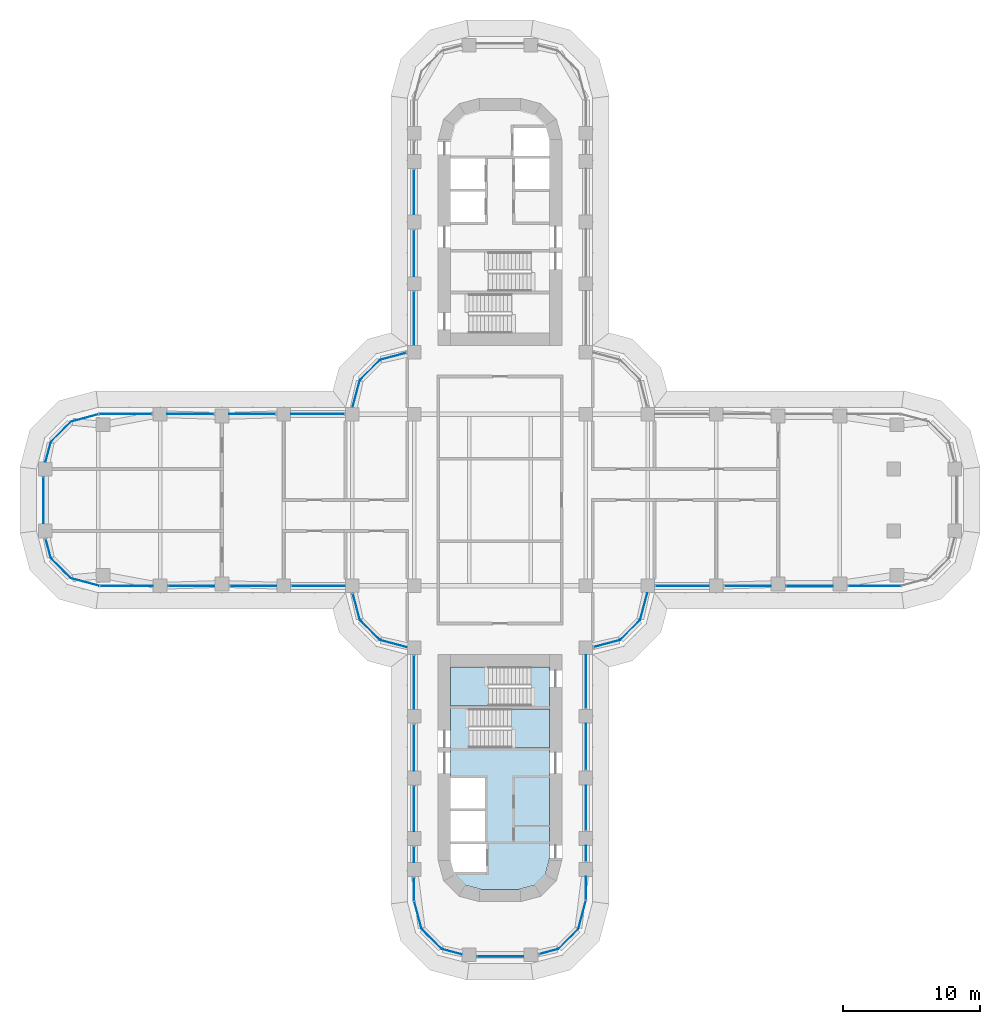
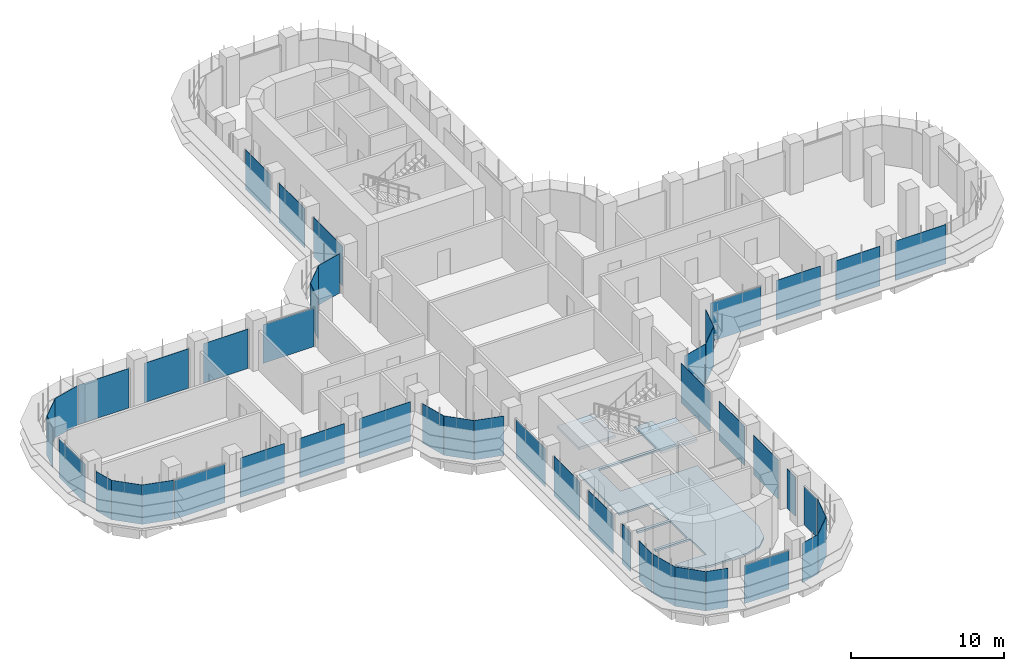
# One storey, part 13 of 23: 48 plates, 3 slabs, 31 elements without a shape of their own.
"""IFC4 building model written with IfcOpenShell, lengths in metres."""

from ifc_helpers import new_model, si_unit, direction, frame, origin, place, context, subcontext, project, spatial, polyline, outline, extrude, source, transform, mapped, material, layer, layer_set, type_object, element, aggregate, save


model = new_model("IFC4")

# Units and contexts
model_context = context("Model", 3, precision=1e-05, world=origin(), true_north=direction((0.0, 1.0)))
body_context = subcontext(model_context, "Body", "Model", "MODEL_VIEW")
ifc_project = project(units=[si_unit("LENGTHUNIT", "METRE"), si_unit("AREAUNIT", "SQUARE_METRE"), si_unit("VOLUMEUNIT", "CUBIC_METRE"), si_unit("PLANEANGLEUNIT", "RADIAN"), si_unit("MASSUNIT", "GRAM", prefix="KILO")], contexts=[model_context])

# Site, building, storey
site_placement = place(None, origin())
site = spatial("IfcSite", under=ifc_project, at=site_placement, CompositionType="ELEMENT")
building_placement = place(site_placement, origin())
building = spatial("IfcBuilding", under=site, at=building_placement, Name="Zarbagh Exchange Tower", CompositionType="ELEMENT")
storey_placement = place(building_placement, frame((0.0, 0.0, 35.39990234375)))
storey = spatial("IfcBuildingStorey", under=building, at=storey_placement, Name="L07", CompositionType="ELEMENT", Elevation=35.39990234375)

# Slab
ifc_material_1 = material(Name="Concrete C40/50", Category="concrete")
ifc_layer_1 = layer(ifc_material_1, 0.14990234375)
ifc_layer_set_1 = layer_set([ifc_layer_1], Name="Core floor slab 150 C40/50")
slab_type_1 = type_object("IfcSlabType", Name="Core floor slab 150 C40/50", PredefinedType="FLOOR", material=ifc_layer_set_1)
slab_1_placement = place(storey_placement, frame((0.0, 0.0, -0.14990234375)))
element("IfcSlab", 1, at=slab_1_placement, inside=storey, type_object=slab_type_1, Name="S17 core S", PredefinedType="FLOOR", context=body_context, shape_type="SweptSolid", body=[
    extrude(outline(polyline([(-2.5341796875, -28.041259765625), (-3.291259765625, -27.2841796875), (-3.340576171875, -27.10009765625), (-1.0, -27.10009765625), (-1.0, -25.050048828125), (-3.60009765625, -25.050048828125), (-3.60009765625, -24.85009765625), (-1.10009765625, -24.85009765625), (-1.10009765625, -22.64990234375), (-3.60009765625, -22.64990234375), (-3.60009765625, -22.449951171875), (-1.10009765625, -22.449951171875), (-1.10009765625, -20.25), (-3.60009765625, -20.25), (-3.60009765625, -15.0), (2.25, -15.0), (2.25, -12.14990234375), (3.60009765625, -12.14990234375), (3.60009765625, -15.199951171875), (-2.25, -15.199951171875), (-2.25, -18.050048828125), (3.60009765625, -18.050048828125), (3.60009765625, -26.131591796875), (3.291259765625, -27.2841796875), (2.5341796875, -28.041259765625), (1.381591796875, -28.35009765625), (-1.381591796875, -28.35009765625), (-2.5341796875, -28.041259765625)])), origin(), (0.0, 0.0, 1.0), 0.14990234375),
])

# Stair, slab
stair_type = type_object("IfcStairType", Name="Exit stair two-flight half-turn", PredefinedType="HALF_TURN_STAIR", material=ifc_material_1)
stair_1_placement = place(storey_placement, origin())
stair_1 = element("IfcStair", 2, at=stair_1_placement, inside=storey, type_object=stair_type, Name="exit stair ST3", PredefinedType="HALF_TURN_STAIR")
ifc_layer_2 = layer(ifc_material_1, 0.199951171875)
ifc_layer_set_2 = layer_set([ifc_layer_2], Name="Stair landing 200 mm")
slab_type_2 = type_object("IfcSlabType", Name="Stair landing 200 mm", PredefinedType="LANDING", material=ifc_layer_set_2)
slab_2_placement = place(storey_placement, frame((0.0, 0.0, 1.900146484375)))
slab_2 = element("IfcSlab", 3, at=slab_2_placement, type_object=slab_type_2, Name="ST3 landing 1", PredefinedType="LANDING", context=body_context, shape_type="SweptSolid", body=[
    extrude(outline(polyline([(0.830078125, -18.050048828125), (3.60009765625, -18.050048828125), (3.60009765625, -15.199951171875), (0.830078125, -15.199951171875), (0.830078125, -18.050048828125)])), origin(), (0.0, 0.0, 1.0), 0.199951171875),
])
aggregate(stair_1, [slab_2])

stair_2_placement = place(storey_placement, origin())
stair_2 = element("IfcStair", 4, at=stair_2_placement, inside=storey, type_object=stair_type, Name="exit stair ST4", PredefinedType="HALF_TURN_STAIR")
slab_3_placement = place(storey_placement, frame((0.0, 0.0, 1.900146484375)))
slab_3 = element("IfcSlab", 5, at=slab_3_placement, type_object=slab_type_2, Name="ST4 landing 1", PredefinedType="LANDING", context=body_context, shape_type="SweptSolid", body=[
    extrude(outline(polyline([(-0.830078125, -12.14990234375), (-3.60009765625, -12.14990234375), (-3.60009765625, -15.0), (-0.830078125, -15.0), (-0.830078125, -12.14990234375)])), origin(), (0.0, 0.0, 1.0), 0.199951171875),
])
aggregate(stair_2, [slab_3])

# Curtain wall, plate
ifc_material_2 = material(Name="Anodised aluminium frame and glazing", Category="aluminium")
curtain_wall_type = type_object("IfcCurtainWallType", Name="CWA Ribbon glazing, lower zones", PredefinedType="NOTDEFINED", material=ifc_material_2)
curtain_wall_1_placement = place(storey_placement, origin())
curtain_wall_1 = element("IfcCurtainWall", 6, at=curtain_wall_1_placement, inside=storey, type_object=curtain_wall_type, Name="CWA01 curtain wall", PredefinedType="NOTDEFINED")
ifc_material_3 = material(Name="Low-e double glazed unit, 6+12+6 mm")
ifc_layer_3 = layer(ifc_material_3, 0.028076171875)
ifc_layer_set_3 = layer_set([ifc_layer_3], Name="PAA Glazing panel, Low-e double glazed unit, 6+12+6 mm")
plate_type = type_object("IfcPlateType", Name="PAA Glazing panel, Low-e double glazed unit, 6+12+6 mm", PredefinedType="CURTAIN_PANEL", material=ifc_layer_set_3)
shared_shape_1 = source(origin(), body_context, "Body", "SweptSolid", [
    extrude(outline(polyline([(0.0, -0.013916015625), (1.4423828125, -0.013916015625), (1.4423828125, 0.013916015625), (0.0, 0.013916015625), (0.0, -0.013916015625)])), origin(), (0.0, 0.0, 1.0), 3.14990234375),
])
placement = place(storey_placement, origin())
plate_1 = element("IfcPlate", 7, at=placement, type_object=plate_type, Name="CWA01 glazing panel 1.1", PredefinedType="CURTAIN_PANEL", context=body_context, shape_type="MappedRepresentation", body=[
    mapped(shared_shape_1, transform((2.847900390625, -33.072021484375, 0.0), x_axis=(0.965924289636, 0.258824779902, 0.0), y_axis=(-0.258824779902, 0.965924289636, 0.0), z_axis=(0.0, 0.0, 1.0))),
])
aggregate(curtain_wall_1, [plate_1])

curtain_wall_2_placement = place(storey_placement, origin())
curtain_wall_2 = element("IfcCurtainWall", 8, at=curtain_wall_2_placement, inside=storey, type_object=curtain_wall_type, Name="CWA37 curtain wall", PredefinedType="NOTDEFINED")
plate_2 = element("IfcPlate", 9, at=placement, type_object=plate_type, Name="CWA37 glazing panel 1.1", PredefinedType="CURTAIN_PANEL", context=body_context, shape_type="MappedRepresentation", body=[
    mapped(shared_shape_1, transform((-33.072021484375, -2.847900390625, 0.0), x_axis=(0.258824779902, -0.965924289636, 0.0), y_axis=(0.965924289636, 0.258824779902, 0.0), z_axis=(0.0, 0.0, 1.0))),
])
aggregate(curtain_wall_2, [plate_2])

curtain_wall_3_placement = place(storey_placement, origin())
curtain_wall_3 = element("IfcCurtainWall", 10, at=curtain_wall_3_placement, inside=storey, type_object=curtain_wall_type, Name="CWA02 curtain wall", PredefinedType="NOTDEFINED")
shared_shape_2 = source(origin(), body_context, "Body", "SweptSolid", [
    extrude(outline(polyline([(0.0, -0.013916015625), (2.061279296875, -0.013916015625), (2.061279296875, 0.013916015625), (0.0, 0.013916015625), (0.0, -0.013916015625)])), origin(), (0.0, 0.0, 1.0), 3.14990234375),
])
plate_3 = element("IfcPlate", 11, at=placement, type_object=plate_type, Name="CWA02 glazing panel 1.1", PredefinedType="CURTAIN_PANEL", context=body_context, shape_type="MappedRepresentation", body=[
    mapped(shared_shape_2, transform((4.2412109375, -32.69873046875, 0.0), x_axis=(0.707106781187, 0.707106781187, 0.0), y_axis=(-0.707106781187, 0.707106781187, 0.0), z_axis=(0.0, 0.0, 1.0))),
])
aggregate(curtain_wall_3, [plate_3])

curtain_wall_4_placement = place(storey_placement, origin())
curtain_wall_4 = element("IfcCurtainWall", 12, at=curtain_wall_4_placement, inside=storey, type_object=curtain_wall_type, Name="CWA06 curtain wall", PredefinedType="NOTDEFINED")
plate_4 = element("IfcPlate", 13, at=placement, type_object=plate_type, Name="CWA06 glazing panel 1.1", PredefinedType="CURTAIN_PANEL", context=body_context, shape_type="MappedRepresentation", body=[
    mapped(shared_shape_2, transform((8.7412109375, -10.19873046875, 0.0), x_axis=(0.707106781187, 0.707106781187, 0.0), y_axis=(-0.707106781187, 0.707106781187, 0.0), z_axis=(0.0, 0.0, 1.0))),
])
aggregate(curtain_wall_4, [plate_4])

curtain_wall_5_placement = place(storey_placement, origin())
curtain_wall_5 = element("IfcCurtainWall", 14, at=curtain_wall_5_placement, inside=storey, type_object=curtain_wall_type, Name="CWA30 curtain wall", PredefinedType="NOTDEFINED")
plate_5 = element("IfcPlate", 15, at=placement, type_object=plate_type, Name="CWA30 glazing panel 1.1", PredefinedType="CURTAIN_PANEL", context=body_context, shape_type="MappedRepresentation", body=[
    mapped(shared_shape_2, transform((-8.7412109375, 10.19873046875, 0.0), x_axis=(-0.707106781187, -0.707106781187, 0.0), y_axis=(0.707106781187, -0.707106781187, 0.0), z_axis=(0.0, 0.0, 1.0))),
])
aggregate(curtain_wall_5, [plate_5])

curtain_wall_6_placement = place(storey_placement, origin())
curtain_wall_6 = element("IfcCurtainWall", 16, at=curtain_wall_6_placement, inside=storey, type_object=curtain_wall_type, Name="CWA34 curtain wall", PredefinedType="NOTDEFINED")
plate_6 = element("IfcPlate", 17, at=placement, type_object=plate_type, Name="CWA34 glazing panel 1.1", PredefinedType="CURTAIN_PANEL", context=body_context, shape_type="MappedRepresentation", body=[
    mapped(shared_shape_2, transform((-31.2412109375, 5.69873046875, 0.0), x_axis=(-0.707106781187, -0.707106781187, 0.0), y_axis=(0.707106781187, -0.707106781187, 0.0), z_axis=(0.0, 0.0, 1.0))),
])
aggregate(curtain_wall_6, [plate_6])

curtain_wall_7_placement = place(storey_placement, origin())
curtain_wall_7 = element("IfcCurtainWall", 18, at=curtain_wall_7_placement, inside=storey, type_object=curtain_wall_type, Name="CWA38 curtain wall", PredefinedType="NOTDEFINED")
plate_7 = element("IfcPlate", 19, at=placement, type_object=plate_type, Name="CWA38 glazing panel 1.1", PredefinedType="CURTAIN_PANEL", context=body_context, shape_type="MappedRepresentation", body=[
    mapped(shared_shape_2, transform((-32.69873046875, -4.2412109375, 0.0), x_axis=(0.707106781187, -0.707106781187, 0.0), y_axis=(0.707106781187, 0.707106781187, 0.0), z_axis=(0.0, 0.0, 1.0))),
])
aggregate(curtain_wall_7, [plate_7])

curtain_wall_8_placement = place(storey_placement, origin())
curtain_wall_8 = element("IfcCurtainWall", 20, at=curtain_wall_8_placement, inside=storey, type_object=curtain_wall_type, Name="CWA42 curtain wall", PredefinedType="NOTDEFINED")
plate_8 = element("IfcPlate", 21, at=placement, type_object=plate_type, Name="CWA42 glazing panel 1.1", PredefinedType="CURTAIN_PANEL", context=body_context, shape_type="MappedRepresentation", body=[
    mapped(shared_shape_2, transform((-10.19873046875, -8.7412109375, 0.0), x_axis=(0.707106781187, -0.707106781187, 0.0), y_axis=(0.707106781187, 0.707106781187, 0.0), z_axis=(0.0, 0.0, 1.0))),
])
aggregate(curtain_wall_8, [plate_8])

curtain_wall_9_placement = place(storey_placement, origin())
curtain_wall_9 = element("IfcCurtainWall", 22, at=curtain_wall_9_placement, inside=storey, type_object=curtain_wall_type, Name="CWA46 curtain wall", PredefinedType="NOTDEFINED")
plate_9 = element("IfcPlate", 23, at=placement, type_object=plate_type, Name="CWA46 glazing panel 1.1", PredefinedType="CURTAIN_PANEL", context=body_context, shape_type="MappedRepresentation", body=[
    mapped(shared_shape_2, transform((-5.69873046875, -31.2412109375, 0.0), x_axis=(0.707106781187, -0.707106781187, 0.0), y_axis=(0.707106781187, 0.707106781187, 0.0), z_axis=(0.0, 0.0, 1.0))),
])
aggregate(curtain_wall_9, [plate_9])

curtain_wall_10_placement = place(storey_placement, origin())
curtain_wall_10 = element("IfcCurtainWall", 24, at=curtain_wall_10_placement, inside=storey, type_object=curtain_wall_type, Name="CWA03 curtain wall", PredefinedType="NOTDEFINED")
shared_shape_3 = source(origin(), body_context, "Body", "SweptSolid", [
    extrude(outline(polyline([(0.0, -0.013916015625), (2.129638671875, -0.013916015625), (2.129638671875, 0.013916015625), (0.0, 0.013916015625), (0.0, -0.013916015625)])), origin(), (0.0, 0.0, 1.0), 3.14990234375),
])
plate_10 = element("IfcPlate", 25, at=placement, type_object=plate_type, Name="CWA03 glazing panel 1.1", PredefinedType="CURTAIN_PANEL", context=body_context, shape_type="MappedRepresentation", body=[
    mapped(shared_shape_3, transform((5.69873046875, -31.2412109375, 0.0), x_axis=(0.258824779902, 0.965924289636, 0.0), y_axis=(-0.965924289636, 0.258824779902, 0.0), z_axis=(0.0, 0.0, 1.0))),
])
aggregate(curtain_wall_10, [plate_10])

curtain_wall_11_placement = place(storey_placement, origin())
curtain_wall_11 = element("IfcCurtainWall", 26, at=curtain_wall_11_placement, inside=storey, type_object=curtain_wall_type, Name="CWA39 curtain wall", PredefinedType="NOTDEFINED")
plate_11 = element("IfcPlate", 27, at=placement, type_object=plate_type, Name="CWA39 glazing panel 1.1", PredefinedType="CURTAIN_PANEL", context=body_context, shape_type="MappedRepresentation", body=[
    mapped(shared_shape_3, transform((-31.2412109375, -5.69873046875, 0.0), x_axis=(0.965924289636, -0.258824779902, 0.0), y_axis=(0.258824779902, 0.965924289636, 0.0), z_axis=(0.0, 0.0, 1.0))),
])
aggregate(curtain_wall_11, [plate_11])

# Curtain wall, plates
curtain_wall_12_placement = place(storey_placement, origin())
curtain_wall_12 = element("IfcCurtainWall", 28, at=curtain_wall_12_placement, inside=storey, type_object=curtain_wall_type, Name="CWA04 curtain wall", PredefinedType="NOTDEFINED")
shared_shape_4 = source(origin(), body_context, "Body", "SweptSolid", [
    extrude(outline(polyline([(0.0, -0.013916015625), (1.68408203125, -0.013916015625), (1.68408203125, 0.013916015625), (0.0, 0.013916015625), (0.0, -0.013916015625)])), origin(), (0.0, 0.0, 1.0), 3.090087890625),
])
plate_12 = element("IfcPlate", 29, at=placement, type_object=plate_type, Name="CWA04 glazing panel 1.1", PredefinedType="CURTAIN_PANEL", context=body_context, shape_type="MappedRepresentation", body=[
    mapped(shared_shape_4, transform((6.25, -29.124267578125, 0.0), x_axis=(0.0, 1.0, 0.0), y_axis=(-1.0, 0.0, 0.0), z_axis=(0.0, 0.0, 1.0))),
])
shared_shape_5 = source(origin(), body_context, "Body", "SweptSolid", [
    extrude(outline(polyline([(0.0, -0.013916015625), (1.110107421875, -0.013916015625), (1.110107421875, 0.013916015625), (0.0, 0.013916015625), (0.0, -0.013916015625)])), origin(), (0.0, 0.0, 1.0), 3.14990234375),
])
plate_13 = element("IfcPlate", 30, at=placement, type_object=plate_type, Name="CWA04 glazing panel 2.1", PredefinedType="CURTAIN_PANEL", context=body_context, shape_type="MappedRepresentation", body=[
    mapped(shared_shape_5, transform((6.25, -26.300048828125, 0.0), x_axis=(0.0, 1.0, 0.0), y_axis=(-1.0, 0.0, 0.0), z_axis=(0.0, 0.0, 1.0))),
])

# Curtain wall, plate
curtain_wall_13_placement = place(storey_placement, origin())
curtain_wall_13 = element("IfcCurtainWall", 31, at=curtain_wall_13_placement, inside=storey, type_object=curtain_wall_type, Name="CWA44 curtain wall", PredefinedType="NOTDEFINED")
plate_14 = element("IfcPlate", 32, at=placement, type_object=plate_type, Name="CWA44 glazing panel 4.1", PredefinedType="CURTAIN_PANEL", context=body_context, shape_type="MappedRepresentation", body=[
    mapped(shared_shape_5, transform((-6.25, -25.25, 0.0), x_axis=(0.0, -1.0, 0.0), y_axis=(1.0, 0.0, 0.0), z_axis=(0.0, 0.0, 1.0))),
])

# Plate
shared_shape_6 = source(origin(), body_context, "Body", "SweptSolid", [
    extrude(outline(polyline([(0.0, -0.013916015625), (3.260009765625, -0.013916015625), (3.260009765625, 0.013916015625), (0.0, 0.013916015625), (0.0, -0.013916015625)])), origin(), (0.0, 0.0, 1.0), 3.14990234375),
])
plate_15 = element("IfcPlate", 33, at=placement, type_object=plate_type, Name="CWA04 glazing panel 3.1", PredefinedType="CURTAIN_PANEL", context=body_context, shape_type="MappedRepresentation", body=[
    mapped(shared_shape_6, transform((6.25, -24.050048828125, 0.0), x_axis=(0.0, 1.0, 0.0), y_axis=(-1.0, 0.0, 0.0), z_axis=(0.0, 0.0, 1.0))),
])

# Curtain wall, plate
curtain_wall_14_placement = place(storey_placement, origin())
curtain_wall_14 = element("IfcCurtainWall", 34, at=curtain_wall_14_placement, inside=storey, type_object=curtain_wall_type, Name="CWA28 curtain wall", PredefinedType="NOTDEFINED")
plate_16 = element("IfcPlate", 35, at=placement, type_object=plate_type, Name="CWA28 glazing panel 3.1", PredefinedType="CURTAIN_PANEL", context=body_context, shape_type="MappedRepresentation", body=[
    mapped(shared_shape_6, transform((-6.25, 24.050048828125, 0.0), x_axis=(0.0, -1.0, 0.0), y_axis=(1.0, 0.0, 0.0), z_axis=(0.0, 0.0, 1.0))),
])

# Plate
plate_17 = element("IfcPlate", 36, at=placement, type_object=plate_type, Name="CWA44 glazing panel 3.1", PredefinedType="CURTAIN_PANEL", context=body_context, shape_type="MappedRepresentation", body=[
    mapped(shared_shape_6, transform((-6.25, -20.85009765625, 0.0), x_axis=(0.0, -1.0, 0.0), y_axis=(1.0, 0.0, 0.0), z_axis=(0.0, 0.0, 1.0))),
])

shared_shape_7 = source(origin(), body_context, "Body", "SweptSolid", [
    extrude(outline(polyline([(0.0, -0.013916015625), (3.360107421875, -0.013916015625), (3.360107421875, 0.013916015625), (0.0, 0.013916015625), (0.0, -0.013916015625)])), origin(), (0.0, 0.0, 1.0), 3.14990234375),
])
plate_18 = element("IfcPlate", 37, at=placement, type_object=plate_type, Name="CWA04 glazing panel 4.1", PredefinedType="CURTAIN_PANEL", context=body_context, shape_type="MappedRepresentation", body=[
    mapped(shared_shape_7, transform((6.25, -19.64990234375, 0.0), x_axis=(0.0, 1.0, 0.0), y_axis=(-1.0, 0.0, 0.0), z_axis=(0.0, 0.0, 1.0))),
])

# Curtain wall, plates
curtain_wall_15_placement = place(storey_placement, origin())
curtain_wall_15 = element("IfcCurtainWall", 38, at=curtain_wall_15_placement, inside=storey, type_object=curtain_wall_type, Name="CWA08 curtain wall", PredefinedType="NOTDEFINED")
plate_19 = element("IfcPlate", 39, at=placement, type_object=plate_type, Name="CWA08 glazing panel 2.1", PredefinedType="CURTAIN_PANEL", context=body_context, shape_type="MappedRepresentation", body=[
    mapped(shared_shape_7, transform((16.35009765625, -6.25, 0.0), x_axis=(1.0, 0.0, 0.0), y_axis=(0.0, 1.0, 0.0), z_axis=(0.0, 0.0, 1.0))),
])
plate_20 = element("IfcPlate", 40, at=placement, type_object=plate_type, Name="CWA08 glazing panel 3.1", PredefinedType="CURTAIN_PANEL", context=body_context, shape_type="MappedRepresentation", body=[
    mapped(shared_shape_7, transform((20.85009765625, -6.25, 0.0), x_axis=(1.0, 0.0, 0.0), y_axis=(0.0, 1.0, 0.0), z_axis=(0.0, 0.0, 1.0))),
])

# Plate
plate_21 = element("IfcPlate", 41, at=placement, type_object=plate_type, Name="CWA28 glazing panel 4.1", PredefinedType="CURTAIN_PANEL", context=body_context, shape_type="MappedRepresentation", body=[
    mapped(shared_shape_7, transform((-6.25, 19.64990234375, 0.0), x_axis=(0.0, -1.0, 0.0), y_axis=(1.0, 0.0, 0.0), z_axis=(0.0, 0.0, 1.0))),
])

# Curtain wall, plates
curtain_wall_16_placement = place(storey_placement, origin())
curtain_wall_16 = element("IfcCurtainWall", 42, at=curtain_wall_16_placement, inside=storey, type_object=curtain_wall_type, Name="CWA32 curtain wall", PredefinedType="NOTDEFINED")
plate_22 = element("IfcPlate", 43, at=placement, type_object=plate_type, Name="CWA32 glazing panel 2.1", PredefinedType="CURTAIN_PANEL", context=body_context, shape_type="MappedRepresentation", body=[
    mapped(shared_shape_7, transform((-16.35009765625, 6.25, 0.0), x_axis=(-1.0, 0.0, 0.0), y_axis=(0.0, -1.0, 0.0), z_axis=(0.0, 0.0, 1.0))),
])
plate_23 = element("IfcPlate", 44, at=placement, type_object=plate_type, Name="CWA32 glazing panel 3.1", PredefinedType="CURTAIN_PANEL", context=body_context, shape_type="MappedRepresentation", body=[
    mapped(shared_shape_7, transform((-20.85009765625, 6.25, 0.0), x_axis=(-1.0, 0.0, 0.0), y_axis=(0.0, -1.0, 0.0), z_axis=(0.0, 0.0, 1.0))),
])

curtain_wall_17_placement = place(storey_placement, origin())
curtain_wall_17 = element("IfcCurtainWall", 45, at=curtain_wall_17_placement, inside=storey, type_object=curtain_wall_type, Name="CWA40 curtain wall", PredefinedType="NOTDEFINED")
plate_24 = element("IfcPlate", 46, at=placement, type_object=plate_type, Name="CWA40 glazing panel 2.1", PredefinedType="CURTAIN_PANEL", context=body_context, shape_type="MappedRepresentation", body=[
    mapped(shared_shape_7, transform((-24.14990234375, -6.25, 0.0), x_axis=(1.0, 0.0, 0.0), y_axis=(0.0, 1.0, 0.0), z_axis=(0.0, 0.0, 1.0))),
])
plate_25 = element("IfcPlate", 47, at=placement, type_object=plate_type, Name="CWA40 glazing panel 3.1", PredefinedType="CURTAIN_PANEL", context=body_context, shape_type="MappedRepresentation", body=[
    mapped(shared_shape_7, transform((-19.64990234375, -6.25, 0.0), x_axis=(1.0, 0.0, 0.0), y_axis=(0.0, 1.0, 0.0), z_axis=(0.0, 0.0, 1.0))),
])

# Plate
plate_26 = element("IfcPlate", 48, at=placement, type_object=plate_type, Name="CWA44 glazing panel 2.1", PredefinedType="CURTAIN_PANEL", context=body_context, shape_type="MappedRepresentation", body=[
    mapped(shared_shape_7, transform((-6.25, -16.35009765625, 0.0), x_axis=(0.0, -1.0, 0.0), y_axis=(1.0, 0.0, 0.0), z_axis=(0.0, 0.0, 1.0))),
])

# Curtain wall, plate
curtain_wall_18_placement = place(storey_placement, origin())
curtain_wall_18 = element("IfcCurtainWall", 49, at=curtain_wall_18_placement, inside=storey, type_object=curtain_wall_type, Name="CWA05 curtain wall", PredefinedType="NOTDEFINED")
shared_shape_8 = source(origin(), body_context, "Body", "SweptSolid", [
    extrude(outline(polyline([(0.0, -0.013916015625), (1.9599609375, -0.013916015625), (1.9599609375, 0.013916015625), (0.0, 0.013916015625), (0.0, -0.013916015625)])), origin(), (0.0, 0.0, 1.0), 3.14990234375),
])
plate_27 = element("IfcPlate", 50, at=placement, type_object=plate_type, Name="CWA05 glazing panel 1.1", PredefinedType="CURTAIN_PANEL", context=body_context, shape_type="MappedRepresentation", body=[
    mapped(shared_shape_8, transform((6.847900390625, -10.7060546875, 0.0), x_axis=(0.965924289636, 0.258824779902, 0.0), y_axis=(-0.258824779902, 0.965924289636, 0.0), z_axis=(0.0, 0.0, 1.0))),
])
aggregate(curtain_wall_18, [plate_27])

curtain_wall_19_placement = place(storey_placement, origin())
curtain_wall_19 = element("IfcCurtainWall", 51, at=curtain_wall_19_placement, inside=storey, type_object=curtain_wall_type, Name="CWA29 curtain wall", PredefinedType="NOTDEFINED")
plate_28 = element("IfcPlate", 52, at=placement, type_object=plate_type, Name="CWA29 glazing panel 1.1", PredefinedType="CURTAIN_PANEL", context=body_context, shape_type="MappedRepresentation", body=[
    mapped(shared_shape_8, transform((-6.847900390625, 10.7060546875, 0.0), x_axis=(-0.965924289636, -0.258824779902, 0.0), y_axis=(0.258824779902, -0.965924289636, 0.0), z_axis=(0.0, 0.0, 1.0))),
])
aggregate(curtain_wall_19, [plate_28])

curtain_wall_20_placement = place(storey_placement, origin())
curtain_wall_20 = element("IfcCurtainWall", 53, at=curtain_wall_20_placement, inside=storey, type_object=curtain_wall_type, Name="CWA41 curtain wall", PredefinedType="NOTDEFINED")
plate_29 = element("IfcPlate", 54, at=placement, type_object=plate_type, Name="CWA41 glazing panel 1.1", PredefinedType="CURTAIN_PANEL", context=body_context, shape_type="MappedRepresentation", body=[
    mapped(shared_shape_8, transform((-10.7060546875, -6.847900390625, 0.0), x_axis=(0.258824779902, -0.965924289636, 0.0), y_axis=(0.965924289636, 0.258824779902, 0.0), z_axis=(0.0, 0.0, 1.0))),
])
aggregate(curtain_wall_20, [plate_29])

curtain_wall_21_placement = place(storey_placement, origin())
curtain_wall_21 = element("IfcCurtainWall", 55, at=curtain_wall_21_placement, inside=storey, type_object=curtain_wall_type, Name="CWA07 curtain wall", PredefinedType="NOTDEFINED")
shared_shape_9 = source(origin(), body_context, "Body", "SweptSolid", [
    extrude(outline(polyline([(0.0, -0.013916015625), (2.02001953125, -0.013916015625), (2.02001953125, 0.013916015625), (0.0, 0.013916015625), (0.0, -0.013916015625)])), origin(), (0.0, 0.0, 1.0), 3.14990234375),
])
plate_30 = element("IfcPlate", 56, at=placement, type_object=plate_type, Name="CWA07 glazing panel 1.1", PredefinedType="CURTAIN_PANEL", context=body_context, shape_type="MappedRepresentation", body=[
    mapped(shared_shape_9, transform((10.19873046875, -8.7412109375, 0.0), x_axis=(0.258824779902, 0.965924289636, 0.0), y_axis=(-0.965924289636, 0.258824779902, 0.0), z_axis=(0.0, 0.0, 1.0))),
])
aggregate(curtain_wall_21, [plate_30])

curtain_wall_22_placement = place(storey_placement, origin())
curtain_wall_22 = element("IfcCurtainWall", 57, at=curtain_wall_22_placement, inside=storey, type_object=curtain_wall_type, Name="CWA31 curtain wall", PredefinedType="NOTDEFINED")
plate_31 = element("IfcPlate", 58, at=placement, type_object=plate_type, Name="CWA31 glazing panel 1.1", PredefinedType="CURTAIN_PANEL", context=body_context, shape_type="MappedRepresentation", body=[
    mapped(shared_shape_9, transform((-10.19873046875, 8.7412109375, 0.0), x_axis=(-0.258824779902, -0.965924289636, 0.0), y_axis=(0.965924289636, -0.258824779902, 0.0), z_axis=(0.0, 0.0, 1.0))),
])
aggregate(curtain_wall_22, [plate_31])

curtain_wall_23_placement = place(storey_placement, origin())
curtain_wall_23 = element("IfcCurtainWall", 59, at=curtain_wall_23_placement, inside=storey, type_object=curtain_wall_type, Name="CWA43 curtain wall", PredefinedType="NOTDEFINED")
plate_32 = element("IfcPlate", 60, at=placement, type_object=plate_type, Name="CWA43 glazing panel 1.1", PredefinedType="CURTAIN_PANEL", context=body_context, shape_type="MappedRepresentation", body=[
    mapped(shared_shape_9, transform((-8.7412109375, -10.19873046875, 0.0), x_axis=(0.965924289636, -0.258824779902, 0.0), y_axis=(0.258824779902, 0.965924289636, 0.0), z_axis=(0.0, 0.0, 1.0))),
])
aggregate(curtain_wall_23, [plate_32])

# Plate
shared_shape_10 = source(origin(), body_context, "Body", "SweptSolid", [
    extrude(outline(polyline([(0.0, -0.013916015625), (3.860107421875, -0.013916015625), (3.860107421875, 0.013916015625), (0.0, 0.013916015625), (0.0, -0.013916015625)])), origin(), (0.0, 0.0, 1.0), 3.090087890625),
])
plate_33 = element("IfcPlate", 61, at=placement, type_object=plate_type, Name="CWA08 glazing panel 1.1", PredefinedType="CURTAIN_PANEL", context=body_context, shape_type="MappedRepresentation", body=[
    mapped(shared_shape_10, transform((11.35009765625, -6.25, 0.0), x_axis=(1.0, 0.0, 0.0), y_axis=(0.0, 1.0, 0.0), z_axis=(0.0, 0.0, 1.0))),
])

plate_34 = element("IfcPlate", 62, at=placement, type_object=plate_type, Name="CWA32 glazing panel 1.1", PredefinedType="CURTAIN_PANEL", context=body_context, shape_type="MappedRepresentation", body=[
    mapped(shared_shape_10, transform((-11.35009765625, 6.25, 0.0), x_axis=(-1.0, 0.0, 0.0), y_axis=(0.0, -1.0, 0.0), z_axis=(0.0, 0.0, 1.0))),
])

plate_35 = element("IfcPlate", 63, at=placement, type_object=plate_type, Name="CWA44 glazing panel 1.1", PredefinedType="CURTAIN_PANEL", context=body_context, shape_type="MappedRepresentation", body=[
    mapped(shared_shape_10, transform((-6.25, -11.35009765625, 0.0), x_axis=(0.0, -1.0, 0.0), y_axis=(1.0, 0.0, 0.0), z_axis=(0.0, 0.0, 1.0))),
])

shared_shape_11 = source(origin(), body_context, "Body", "SweptSolid", [
    extrude(outline(polyline([(0.0, -0.013916015625), (3.833984375, -0.013916015625), (3.833984375, 0.013916015625), (0.0, 0.013916015625), (0.0, -0.013916015625)])), origin(), (0.0, 0.0, 1.0), 3.14990234375),
])
plate_36 = element("IfcPlate", 64, at=placement, type_object=plate_type, Name="CWA08 glazing panel 4.1", PredefinedType="CURTAIN_PANEL", context=body_context, shape_type="MappedRepresentation", body=[
    mapped(shared_shape_11, transform((25.35009765625, -6.25, 0.0), x_axis=(1.0, 0.0, 0.0), y_axis=(0.0, 1.0, 0.0), z_axis=(0.0, 0.0, 1.0))),
])

aggregate(curtain_wall_15, [plate_33, plate_19, plate_20, plate_36])

plate_37 = element("IfcPlate", 65, at=placement, type_object=plate_type, Name="CWA32 glazing panel 4.1", PredefinedType="CURTAIN_PANEL", context=body_context, shape_type="MappedRepresentation", body=[
    mapped(shared_shape_11, transform((-25.35009765625, 6.25, 0.0), x_axis=(-1.0, 0.0, 0.0), y_axis=(0.0, -1.0, 0.0), z_axis=(0.0, 0.0, 1.0))),
])

aggregate(curtain_wall_16, [plate_34, plate_22, plate_23, plate_37])

# Curtain wall, plate
curtain_wall_24_placement = place(storey_placement, origin())
curtain_wall_24 = element("IfcCurtainWall", 66, at=curtain_wall_24_placement, inside=storey, type_object=curtain_wall_type, Name="CWA33 curtain wall", PredefinedType="NOTDEFINED")
shared_shape_12 = source(origin(), body_context, "Body", "SweptSolid", [
    extrude(outline(polyline([(0.0, -0.013916015625), (2.069580078125, -0.013916015625), (2.069580078125, 0.013916015625), (0.0, 0.013916015625), (0.0, -0.013916015625)])), origin(), (0.0, 0.0, 1.0), 3.14990234375),
])
plate_38 = element("IfcPlate", 67, at=placement, type_object=plate_type, Name="CWA33 glazing panel 1.1", PredefinedType="CURTAIN_PANEL", context=body_context, shape_type="MappedRepresentation", body=[
    mapped(shared_shape_12, transform((-29.2421875, 6.234375, 0.0), x_axis=(-0.965924289636, -0.258824779902, 0.0), y_axis=(0.258824779902, -0.965924289636, 0.0), z_axis=(0.0, 0.0, 1.0))),
])
aggregate(curtain_wall_24, [plate_38])

curtain_wall_25_placement = place(storey_placement, origin())
curtain_wall_25 = element("IfcCurtainWall", 68, at=curtain_wall_25_placement, inside=storey, type_object=curtain_wall_type, Name="CWA45 curtain wall", PredefinedType="NOTDEFINED")
plate_39 = element("IfcPlate", 69, at=placement, type_object=plate_type, Name="CWA45 glazing panel 1.1", PredefinedType="CURTAIN_PANEL", context=body_context, shape_type="MappedRepresentation", body=[
    mapped(shared_shape_12, transform((-6.234375, -29.2421875, 0.0), x_axis=(0.258824779902, -0.965924289636, 0.0), y_axis=(0.965924289636, 0.258824779902, 0.0), z_axis=(0.0, 0.0, 1.0))),
])
aggregate(curtain_wall_25, [plate_39])

curtain_wall_26_placement = place(storey_placement, origin())
curtain_wall_26 = element("IfcCurtainWall", 70, at=curtain_wall_26_placement, inside=storey, type_object=curtain_wall_type, Name="CWA35 curtain wall", PredefinedType="NOTDEFINED")
shared_shape_13 = source(origin(), body_context, "Body", "SweptSolid", [
    extrude(outline(polyline([(0.0, -0.013916015625), (1.50244140625, -0.013916015625), (1.50244140625, 0.013916015625), (0.0, 0.013916015625), (0.0, -0.013916015625)])), origin(), (0.0, 0.0, 1.0), 3.14990234375),
])
plate_40 = element("IfcPlate", 71, at=placement, type_object=plate_type, Name="CWA35 glazing panel 1.1", PredefinedType="CURTAIN_PANEL", context=body_context, shape_type="MappedRepresentation", body=[
    mapped(shared_shape_13, transform((-32.69873046875, 4.2412109375, 0.0), x_axis=(-0.258824779902, -0.965924289636, 0.0), y_axis=(0.965924289636, -0.258824779902, 0.0), z_axis=(0.0, 0.0, 1.0))),
])
aggregate(curtain_wall_26, [plate_40])

curtain_wall_27_placement = place(storey_placement, origin())
curtain_wall_27 = element("IfcCurtainWall", 72, at=curtain_wall_27_placement, inside=storey, type_object=curtain_wall_type, Name="CWA47 curtain wall", PredefinedType="NOTDEFINED")
plate_41 = element("IfcPlate", 73, at=placement, type_object=plate_type, Name="CWA47 glazing panel 1.1", PredefinedType="CURTAIN_PANEL", context=body_context, shape_type="MappedRepresentation", body=[
    mapped(shared_shape_13, transform((-4.2412109375, -32.69873046875, 0.0), x_axis=(0.965924289636, -0.258824779902, 0.0), y_axis=(0.258824779902, 0.965924289636, 0.0), z_axis=(0.0, 0.0, 1.0))),
])
aggregate(curtain_wall_27, [plate_41])

curtain_wall_28_placement = place(storey_placement, origin())
curtain_wall_28 = element("IfcCurtainWall", 74, at=curtain_wall_28_placement, inside=storey, type_object=curtain_wall_type, Name="CWA36 curtain wall", PredefinedType="NOTDEFINED")
shared_shape_14 = source(origin(), body_context, "Body", "SweptSolid", [
    extrude(outline(polyline([(0.0, -0.013916015625), (3.360107421875, -0.013916015625), (3.360107421875, 0.013916015625), (0.0, 0.013916015625), (0.0, -0.013916015625)])), origin(), (0.0, 0.0, 1.0), 3.090087890625),
])
plate_42 = element("IfcPlate", 75, at=placement, type_object=plate_type, Name="CWA36 glazing panel 1.1", PredefinedType="CURTAIN_PANEL", context=body_context, shape_type="MappedRepresentation", body=[
    mapped(shared_shape_14, transform((-33.25, 1.64990234375, 0.0), x_axis=(0.0, -1.0, 0.0), y_axis=(1.0, 0.0, 0.0), z_axis=(0.0, 0.0, 1.0))),
])
aggregate(curtain_wall_28, [plate_42])

curtain_wall_29_placement = place(storey_placement, origin())
curtain_wall_29 = element("IfcCurtainWall", 76, at=curtain_wall_29_placement, inside=storey, type_object=curtain_wall_type, Name="CWA48 curtain wall", PredefinedType="NOTDEFINED")
plate_43 = element("IfcPlate", 77, at=placement, type_object=plate_type, Name="CWA48 glazing panel 1.1", PredefinedType="CURTAIN_PANEL", context=body_context, shape_type="MappedRepresentation", body=[
    mapped(shared_shape_14, transform((-1.64990234375, -33.25, 0.0), x_axis=(1.0, 0.0, 0.0), y_axis=(0.0, 1.0, 0.0), z_axis=(0.0, 0.0, 1.0))),
])
aggregate(curtain_wall_29, [plate_43])

# Plate
shared_shape_15 = source(origin(), body_context, "Body", "SweptSolid", [
    extrude(outline(polyline([(0.0, -0.013916015625), (3.834228515625, -0.013916015625), (3.834228515625, 0.013916015625), (0.0, 0.013916015625), (0.0, -0.013916015625)])), origin(), (0.0, 0.0, 1.0), 3.090087890625),
])
plate_44 = element("IfcPlate", 78, at=placement, type_object=plate_type, Name="CWA40 glazing panel 1.1", PredefinedType="CURTAIN_PANEL", context=body_context, shape_type="MappedRepresentation", body=[
    mapped(shared_shape_15, transform((-29.124267578125, -6.25, 0.0), x_axis=(1.0, 0.0, 0.0), y_axis=(0.0, 1.0, 0.0), z_axis=(0.0, 0.0, 1.0))),
])

shared_shape_16 = source(origin(), body_context, "Body", "SweptSolid", [
    extrude(outline(polyline([(0.0, -0.013916015625), (3.860107421875, -0.013916015625), (3.860107421875, 0.013916015625), (0.0, 0.013916015625), (0.0, -0.013916015625)])), origin(), (0.0, 0.0, 1.0), 3.14990234375),
])
plate_45 = element("IfcPlate", 79, at=placement, type_object=plate_type, Name="CWA04 glazing panel 5.1", PredefinedType="CURTAIN_PANEL", context=body_context, shape_type="MappedRepresentation", body=[
    mapped(shared_shape_16, transform((6.25, -15.14990234375, 0.0), x_axis=(0.0, 1.0, 0.0), y_axis=(-1.0, 0.0, 0.0), z_axis=(0.0, 0.0, 1.0))),
])

aggregate(curtain_wall_12, [plate_12, plate_13, plate_15, plate_18, plate_45])

plate_46 = element("IfcPlate", 80, at=placement, type_object=plate_type, Name="CWA28 glazing panel 5.1", PredefinedType="CURTAIN_PANEL", context=body_context, shape_type="MappedRepresentation", body=[
    mapped(shared_shape_16, transform((-6.25, 15.14990234375, 0.0), x_axis=(0.0, -1.0, 0.0), y_axis=(1.0, 0.0, 0.0), z_axis=(0.0, 0.0, 1.0))),
])

aggregate(curtain_wall_14, [plate_16, plate_21, plate_46])

plate_47 = element("IfcPlate", 81, at=placement, type_object=plate_type, Name="CWA40 glazing panel 4.1", PredefinedType="CURTAIN_PANEL", context=body_context, shape_type="MappedRepresentation", body=[
    mapped(shared_shape_16, transform((-15.14990234375, -6.25, 0.0), x_axis=(1.0, 0.0, 0.0), y_axis=(0.0, 1.0, 0.0), z_axis=(0.0, 0.0, 1.0))),
])

aggregate(curtain_wall_17, [plate_44, plate_24, plate_25, plate_47])

shared_shape_17 = source(origin(), body_context, "Body", "SweptSolid", [
    extrude(outline(polyline([(0.0, -0.013916015625), (1.68408203125, -0.013916015625), (1.68408203125, 0.013916015625), (0.0, 0.013916015625), (0.0, -0.013916015625)])), origin(), (0.0, 0.0, 1.0), 3.14990234375),
])
plate_48 = element("IfcPlate", 82, at=placement, type_object=plate_type, Name="CWA44 glazing panel 5.1", PredefinedType="CURTAIN_PANEL", context=body_context, shape_type="MappedRepresentation", body=[
    mapped(shared_shape_17, transform((-6.25, -27.5, 0.0), x_axis=(0.0, -1.0, 0.0), y_axis=(1.0, 0.0, 0.0), z_axis=(0.0, 0.0, 1.0))),
])

aggregate(curtain_wall_13, [plate_35, plate_26, plate_17, plate_14, plate_48])

save(model, "model.ifc")
